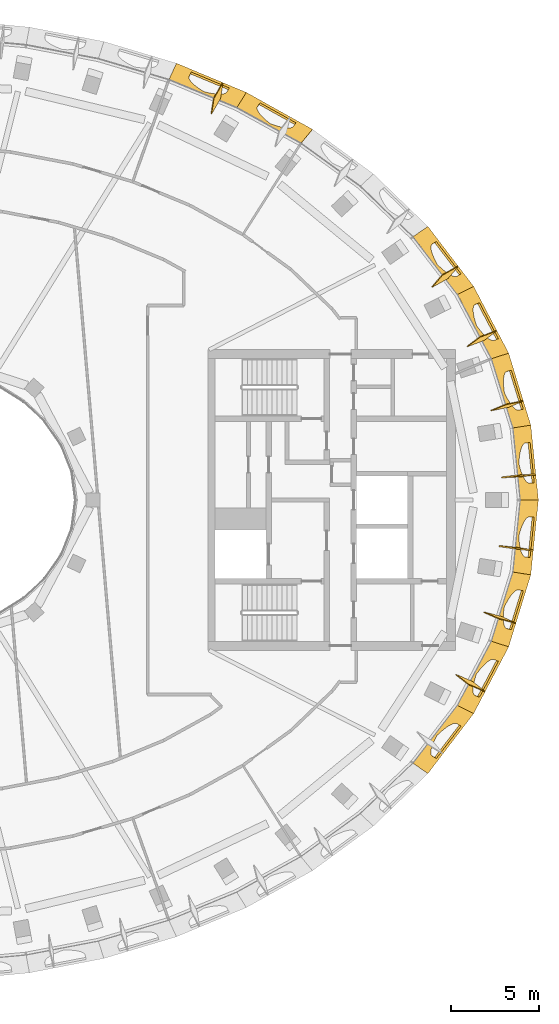
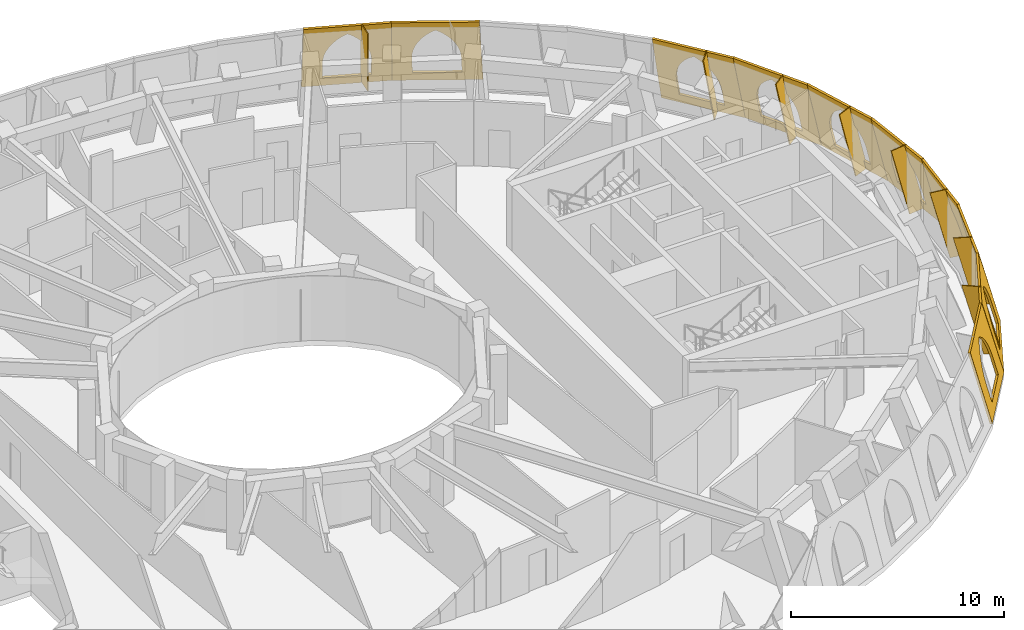
# One storey, part 14 of 14: 18 coverings.
"""IFC4 building model written with IfcOpenShell, lengths in metres."""

from ifc_helpers import new_model, si_unit, direction, frame, origin, place, context, subcontext, project, spatial, polyline, outline, extrude, material, layer, layer_set, type_object, element, save


model = new_model("IFC4")

# Units and contexts
model_context = context("Model", 3, precision=1e-05, world=origin(), true_north=direction((0.0, 1.0)))
body_context = subcontext(model_context, "Body", "Model", "MODEL_VIEW")
ifc_project = project(units=[si_unit("LENGTHUNIT", "METRE"), si_unit("AREAUNIT", "SQUARE_METRE"), si_unit("VOLUMEUNIT", "CUBIC_METRE"), si_unit("PLANEANGLEUNIT", "RADIAN"), si_unit("MASSUNIT", "GRAM", prefix="KILO")], contexts=[model_context])

# Site, building, storey
site_placement = place(None, origin())
site = spatial("IfcSite", under=ifc_project, at=site_placement, CompositionType="ELEMENT")
building_placement = place(site_placement, origin())
building = spatial("IfcBuilding", under=site, at=building_placement, Name="Noorbagh Ring Tower", CompositionType="ELEMENT")
storey_placement = place(building_placement, frame((0.0, 0.0, 339.0)))
storey = spatial("IfcBuildingStorey", under=building, at=storey_placement, Name="L74", CompositionType="ELEMENT", Elevation=339.0)

# Coverings
ifc_material_1 = material(Name="Aluminium 6063-T6 black anodised", Category="aluminium")
ifc_layer_1 = layer(ifc_material_1, 0.050048828125)
ifc_layer_set_1 = layer_set([ifc_layer_1], Name="Aluminium 6063-T6 black anodised")
covering_type_1 = type_object("IfcCoveringType", Name="STYLE-HEAD-FIN", PredefinedType="CLADDING", material=ifc_layer_set_1)
covering_1_placement = place(storey_placement, frame((35.048828125, 1.410888671875, 0.0), z_axis=(0.125297411407, -0.991937840306, 0.018970494559), x_axis=(-0.249060239151, -0.012939870264, 0.968401547413)))
element("IfcCovering", 1, at=covering_1_placement, inside=storey, type_object=covering_type_1, Name="Fin rib F01 L74", ObjectType="FIN", PredefinedType="CLADDING", context=body_context, shape_type="SweptSolid", body=[
    extrude(outline(polyline([(0.0, 0.0), (4.1307697836254, -2.220446049250313e-16), (4.3546566427257325, 0.871874150241866), (0.22382605337788425, 0.8716396901188801), (0.0, 0.0)])), origin(), (0.0, 0.0, -1.0), 0.050048828125),
])
covering_2_placement = place(storey_placement, frame((34.345703125, 5.589111328125, 0.0), z_axis=(0.383523308245, -0.922298368963, 0.047703151271), x_axis=(-0.243611585311, -0.051208224605, 0.968520063414)))
element("IfcCovering", 2, at=covering_2_placement, inside=storey, type_object=covering_type_1, Name="Fin rib F02 L74", ObjectType="FIN", PredefinedType="CLADDING", context=body_context, shape_type="SweptSolid", body=[
    extrude(outline(polyline([(0.0, 0.0), (4.130774305742618, 0.0), (4.350931698916109, 0.8727503960503845), (0.22014489116553054, 0.8726568728425895), (0.0, 0.0)])), origin(), (0.0, 0.0, -1.0), 0.050048828125),
])
covering_3_placement = place(storey_placement, frame((32.851318359375, 9.56005859375, 0.0), z_axis=(0.59787887782, -0.798389513016, 0.071519458625), x_axis=(-0.23270534382, -0.087495653424, 0.968603496581)))
element("IfcCovering", 3, at=covering_3_placement, inside=storey, type_object=covering_type_1, Name="Fin rib F03 L74", ObjectType="FIN", PredefinedType="CLADDING", context=body_context, shape_type="SweptSolid", body=[
    extrude(outline(polyline([(0.0, 0.0), (4.130904469436336, 0.0), (4.345746112020692, 0.8739312560778145), (0.21480619099978712, 0.8738894311997926), (0.0, 0.0)])), origin(), (0.0, 0.0, -1.0), 0.050048828125),
])
covering_4_placement = place(storey_placement, frame((30.66845703125, 13.206787109375, 0.0), z_axis=(0.756703334904, -0.647695910543, 0.088826068311), x_axis=(-0.217114250491, -0.120813642427, 0.968641040859)))
element("IfcCovering", 4, at=covering_4_placement, inside=storey, type_object=covering_type_1, Name="Fin rib F04 L74", ObjectType="FIN", PredefinedType="CLADDING", context=body_context, shape_type="SweptSolid", body=[
    extrude(outline(polyline([(0.0, 0.0), (4.1310174563259, 0.0), (4.340690764642532, 0.8752921451520579), (0.2097263147254437, 0.8754426953083309), (0.0, 0.0)])), origin(), (0.0, 0.0, -1.0), 0.050048828125),
])
covering_5_placement = place(storey_placement, frame((17.36181640625, 23.595703125, 0.0), z_axis=(0.983958121337, -0.15357040274, 0.090788473157), x_axis=(-0.123130053603, -0.216345317265, 0.968521395529)))
element("IfcCovering", 5, at=covering_5_placement, inside=storey, type_object=covering_type_1, Name="Fin rib F08 L74", ObjectType="FIN", PredefinedType="CLADDING", context=body_context, shape_type="SweptSolid", body=[
    extrude(outline(polyline([(0.0, 0.0), (4.131254213741502, 0.0), (4.340724586295225, 0.875228876694652), (0.20949313018645196, 0.8754327508945154), (0.0, 0.0)])), origin(), (0.0, 0.0, -1.0), 0.050048828125),
])
covering_6_placement = place(storey_placement, frame((32.191162109375, -10.81787109375, 0.0), z_axis=(0.612918042037, 0.787534710374, 0.06419153918), x_axis=(-0.230022619855, 0.100117759002, 0.968021708789)))
element("IfcCovering", 6, at=covering_6_placement, inside=storey, type_object=covering_type_1, Name="Fin rib F44 L74", ObjectType="FIN", PredefinedType="CLADDING", context=body_context, shape_type="SweptSolid", body=[
    extrude(outline(polyline([(0.0, 0.0), (4.130877707149869, -1.1102230246251565e-16), (4.3495794668028545, -0.8729696916994689), (0.21870175965298533, -0.8729696916994689), (0.0, 0.0)])), origin(), (0.0, 0.0, -1.0), 0.050048828125),
])
covering_7_placement = place(storey_placement, frame((33.9287109375, -6.94580078125, 0.0), z_axis=(0.403681730084, 0.914009153883, 0.04035253912), x_axis=(-0.242147697081, 0.064205919249, 0.96811264465)))
element("IfcCovering", 7, at=covering_7_placement, inside=storey, type_object=covering_type_1, Name="Fin rib F45 L74", ObjectType="FIN", PredefinedType="CLADDING", context=body_context, shape_type="SweptSolid", body=[
    extrude(outline(polyline([(0.0, 0.0), (4.130987348921082, 0.0), (4.353733148729419, -0.8721609513344278), (0.22270235699148333, -0.8720433506787628), (0.0, 0.0)])), origin(), (0.0, 0.0, -1.0), 0.050048828125),
])
covering_8_placement = place(storey_placement, frame((34.90576171875, -2.822021484375, 0.0), z_axis=(0.148774763606, 0.98880291837, 0.011612852198), x_axis=(-0.248586038099, 0.026030535018, 0.968259982086)))
element("IfcCovering", 8, at=covering_8_placement, inside=storey, type_object=covering_type_1, Name="Fin rib F46 L74", ObjectType="FIN", PredefinedType="CLADDING", context=body_context, shape_type="SweptSolid", body=[
    extrude(outline(polyline([(0.0, 0.0), (4.130868073413099, -1.1102230246251565e-16), (4.355626234569627, -0.8716229924811776), (0.22470382631690833, -0.8714251954683824), (0.0, 0.0)])), origin(), (0.0, 0.0, -1.0), 0.050048828125),
])
ifc_material_2 = material(Name="Red sandstone jali", Category="masonry")
ifc_layer_2 = layer(ifc_material_2, 0.1201171875)
ifc_layer_set_2 = layer_set([ifc_layer_2], Name="Red sandstone jali")
covering_type_2 = type_object("IfcCoveringType", Name="STYLE-HEAD-SKIN", PredefinedType="CLADDING", material=ifc_layer_set_2)
covering_9_placement = place(storey_placement, frame((35.19189453125, 0.0, 0.0), z_axis=(0.96353585428, 0.097690492134, 0.249108862276), x_axis=(-0.100870887315, 0.99489952462, 1.976633e-06)))
element("IfcCovering", 9, at=covering_9_placement, inside=storey, type_object=covering_type_2, Name="Head skin panel", ObjectType="HEAD SKIN", PredefinedType="CLADDING", context=body_context, shape_type="SweptSolid", body=[
    extrude(outline(polyline([(0.0, 0.0), (4.254638671875, 0.0), (4.197509765625, 4.130126953125), (0.104248046875, 4.130126953125), (0.0, 0.0)]), holes=[polyline([(0.984375, 0.550048828125), (0.990234375, 1.59521484375), (1.01171875, 1.894287109375), (1.07177734375, 2.1884765625), (1.169921875, 2.472412109375), (1.303955078125, 2.7412109375), (1.471923828125, 2.990478515625), (1.6708984375, 3.216064453125), (1.8974609375, 3.413818359375), (2.147705078125, 3.580322265625), (2.39599609375, 3.413818359375), (2.620361328125, 3.216064453125), (2.816650390625, 2.990478515625), (2.98193359375, 2.7412109375), (3.113037109375, 2.472412109375), (3.207763671875, 2.1884765625), (3.264404296875, 1.894287109375), (3.282470703125, 1.59521484375), (3.276611328125, 0.550048828125), (0.984375, 0.550048828125)])]), origin(), (0.0, 0.0, -1.0), 0.1201171875),
])
covering_10_placement = place(storey_placement, frame((34.7626953125, 4.23291015625, 0.0), z_axis=(0.925987412451, 0.284734123494, 0.247939087076), x_axis=(-0.293911397192, 0.955832668724, 3.10721e-07)))
element("IfcCovering", 10, at=covering_10_placement, inside=storey, type_object=covering_type_2, Name="Head skin panel", ObjectType="HEAD SKIN", PredefinedType="CLADDING", context=body_context, shape_type="SweptSolid", body=[
    extrude(outline(polyline([(0.0, 0.0), (4.257080078125, 0.0), (4.24462890625, 4.12890625), (0.146240234375, 4.12890625), (0.0, 0.0)]), holes=[polyline([(0.989990234375, 0.550048828125), (1.0068359375, 1.59130859375), (1.031494140625, 1.890869140625), (1.0947265625, 2.185302734375), (1.19580078125, 2.4697265625), (1.3330078125, 2.739013671875), (1.50390625, 2.988525390625), (1.70556640625, 3.21435546875), (1.934326171875, 3.412109375), (2.186767578125, 3.5791015625), (2.43359375, 3.412109375), (2.65625, 3.21435546875), (2.8505859375, 2.988525390625), (3.01318359375, 2.739013671875), (3.1416015625, 2.4697265625), (3.2333984375, 2.185302734375), (3.287353515625, 1.890869140625), (3.302001953125, 1.59130859375), (3.28515625, 0.550048828125), (0.989990234375, 0.550048828125)])]), origin(), (0.0, 0.0, -1.0), 0.1201171875),
])
covering_11_placement = place(storey_placement, frame((33.511474609375, 8.302001953125, 0.0), z_axis=(0.858084610486, 0.450314210016, 0.246795286634), x_axis=(-0.464688989718, 0.885473965072, 3.896624e-06)))
element("IfcCovering", 11, at=covering_11_placement, inside=storey, type_object=covering_type_2, Name="Head skin panel", ObjectType="HEAD SKIN", PredefinedType="CLADDING", context=body_context, shape_type="SweptSolid", body=[
    extrude(outline(polyline([(0.0, 0.0), (4.26171875, 0.0), (4.28564453125, 4.127685546875), (0.17822265625, 4.127685546875), (0.0, 0.0)]), holes=[polyline([(0.994140625, 0.550048828125), (1.01953125, 1.585693359375), (1.046630859375, 1.885986328125), (1.112548828125, 2.180908203125), (1.21630859375, 2.4658203125), (1.35595703125, 2.73583984375), (1.529296875, 2.986083984375), (1.733154296875, 3.212158203125), (1.964111328125, 3.41064453125), (2.218505859375, 3.577880859375), (2.464599609375, 3.41064453125), (2.685791015625, 3.212158203125), (2.87890625, 2.986083984375), (3.039794921875, 2.73583984375), (3.166259765625, 2.4658203125), (3.256103515625, 2.180908203125), (3.3076171875, 1.885986328125), (3.31982421875, 1.585693359375), (3.29443359375, 0.550048828125), (0.994140625, 0.550048828125)])]), origin(), (0.0, 0.0, -1.0), 0.1201171875),
])
covering_12_placement = place(storey_placement, frame((31.531005859375, 12.07568359375, 0.0), z_axis=(0.77062895819, 0.587883594638, 0.246016031907), x_axis=(-0.606523588444, 0.795065492039, -5.358807e-06)))
element("IfcCovering", 12, at=covering_12_placement, inside=storey, type_object=covering_type_2, Name="Head skin panel", ObjectType="HEAD SKIN", PredefinedType="CLADDING", context=body_context, shape_type="SweptSolid", body=[
    extrude(outline(polyline([(0.0, 0.0), (4.267333984375, 0.0), (4.3154296875, 4.126953125), (0.19677734375, 4.126708984375), (0.0, 0.0)]), holes=[polyline([(0.99658203125, 0.550048828125), (1.02734375, 1.57958984375), (1.055908203125, 1.880615234375), (1.12353515625, 2.176513671875), (1.22900390625, 2.462158203125), (1.37060546875, 2.732666015625), (1.545654296875, 2.983642578125), (1.751220703125, 3.21044921875), (1.98388671875, 3.4091796875), (2.23974609375, 3.576904296875), (2.485595703125, 3.4091796875), (2.70654296875, 3.21044921875), (2.898681640625, 2.983642578125), (3.058837890625, 2.732666015625), (3.184326171875, 2.462158203125), (3.272705078125, 2.176513671875), (3.32275390625, 1.880615234375), (3.33349609375, 1.57958984375), (3.302978515625, 0.550048828125), (0.99658203125, 0.550048828125)])]), origin(), (0.0, 0.0, -1.0), 0.1201171875),
])
covering_13_placement = place(storey_placement, frame((22.417724609375, 20.9609375, 0.0), z_axis=(0.471977194858, 0.846458862553, 0.246464848489), x_axis=(-0.87340235464, 0.48699930892, 4.512742e-06)))
element("IfcCovering", 13, at=covering_13_placement, inside=storey, type_object=covering_type_2, Name="Head skin panel", ObjectType="HEAD SKIN", PredefinedType="CLADDING", context=body_context, shape_type="SweptSolid", body=[
    extrude(outline(polyline([(0.0, 0.0), (4.2802734375, 0.0), (4.3330078125, 4.127197265625), (0.187255859375, 4.12744140625), (0.0, 0.0)]), holes=[polyline([(0.995361328125, 0.550048828125), (1.02490234375, 1.56689453125), (1.053466796875, 1.869873046875), (1.121337890625, 2.167724609375), (1.227294921875, 2.455078125), (1.36962890625, 2.7275390625), (1.545654296875, 2.97998046875), (1.75244140625, 3.20849609375), (1.98681640625, 3.40869140625), (2.244140625, 3.577392578125), (2.49169921875, 3.40869140625), (2.714111328125, 3.20849609375), (2.90771484375, 2.97998046875), (3.069091796875, 2.7275390625), (3.195556640625, 2.455078125), (3.284912109375, 2.167724609375), (3.33544921875, 1.869873046875), (3.346435546875, 1.56689453125), (3.31689453125, 0.550048828125), (0.995361328125, 0.550048828125)])]), origin(), (0.0, 0.0, -1.0), 0.1201171875),
])
covering_14_placement = place(storey_placement, frame((18.67919921875, 23.04541015625, 0.0), z_axis=(0.373482635496, 0.894092244472, 0.247203922619), x_axis=(-0.922730711316, 0.385445241758, 1.199786e-06)))
element("IfcCovering", 14, at=covering_14_placement, inside=storey, type_object=covering_type_2, Name="Head skin panel", ObjectType="HEAD SKIN", PredefinedType="CLADDING", context=body_context, shape_type="SweptSolid", body=[
    extrude(outline(polyline([(0.0, 0.0), (4.283203125, 0.0), (4.3203125, 4.128173828125), (0.16845703125, 4.128173828125), (0.0, 0.0)]), holes=[polyline([(0.992919921875, 0.550048828125), (1.01806640625, 1.564697265625), (1.045654296875, 1.8681640625), (1.1123046875, 2.16650390625), (1.21728515625, 2.454345703125), (1.358642578125, 2.727294921875), (1.533935546875, 2.97998046875), (1.739990234375, 3.208740234375), (1.973876953125, 3.4091796875), (2.230712890625, 3.578125), (2.4794921875, 3.4091796875), (2.703125, 3.208740234375), (2.89794921875, 2.97998046875), (3.060546875, 2.727294921875), (3.188232421875, 2.454345703125), (3.27880859375, 2.16650390625), (3.330810546875, 1.8681640625), (3.343017578125, 1.564697265625), (3.31787109375, 0.550048828125), (0.992919921875, 0.550048828125)])]), origin(), (0.0, 0.0, -1.0), 0.1201171875),
])
covering_15_placement = place(storey_placement, frame((28.94287109375, -15.468505859375, 0.0), z_axis=(0.769806606948, -0.587256254075, 0.25005575368), x_axis=(0.606523552638, 0.795065519354, 5.440989e-06)))
element("IfcCovering", 15, at=covering_15_placement, inside=storey, type_object=covering_type_2, Name="Head skin panel", ObjectType="HEAD SKIN", PredefinedType="CLADDING", context=body_context, shape_type="SweptSolid", body=[
    extrude(outline(polyline([(0.0, 0.0), (4.267333984375, 0.0), (4.0703125, 4.131103515625), (-0.048095703125, 4.13134765625), (0.0, 0.0)]), holes=[polyline([(0.964111328125, 0.550048828125), (0.933349609375, 1.583984375), (0.944091796875, 1.885009765625), (0.994384765625, 2.180908203125), (1.082763671875, 2.466552734375), (1.208251953125, 2.7373046875), (1.368408203125, 2.988037109375), (1.560546875, 3.21484375), (1.781494140625, 3.413818359375), (2.02734375, 3.581298828125), (2.283203125, 3.413818359375), (2.515869140625, 3.21484375), (2.721435546875, 2.988037109375), (2.896484375, 2.7373046875), (3.0380859375, 2.466552734375), (3.1435546875, 2.180908203125), (3.211181640625, 1.885009765625), (3.23974609375, 1.583984375), (3.2705078125, 0.550048828125), (0.964111328125, 0.550048828125)])]), origin(), (0.0, 0.0, -1.0), 0.1201171875),
])
covering_16_placement = place(storey_placement, frame((31.531005859375, -12.07568359375, 0.0), z_axis=(0.857301072835, -0.449903017304, 0.250244171834), x_axis=(0.464689014449, 0.885473952093, -3.94747e-06)))
element("IfcCovering", 16, at=covering_16_placement, inside=storey, type_object=covering_type_2, Name="Head skin panel", ObjectType="HEAD SKIN", PredefinedType="CLADDING", context=body_context, shape_type="SweptSolid", body=[
    extrude(outline(polyline([(0.0, 0.0), (4.26171875, 0.0), (4.083740234375, 4.13134765625), (-0.02392578125, 4.13134765625), (0.0, 0.0)]), holes=[polyline([(0.96728515625, 0.550048828125), (0.94189453125, 1.58935546875), (0.954345703125, 1.8896484375), (1.005859375, 2.184814453125), (1.095458984375, 2.4697265625), (1.221923828125, 2.739501953125), (1.383056640625, 2.98974609375), (1.575927734375, 3.216064453125), (1.79736328125, 3.414306640625), (2.04345703125, 3.58154296875), (2.297607421875, 3.414306640625), (2.52880859375, 3.216064453125), (2.732666015625, 2.98974609375), (2.906005859375, 2.739501953125), (3.045654296875, 2.4697265625), (3.1494140625, 2.184814453125), (3.215087890625, 1.8896484375), (3.2421875, 1.58935546875), (3.267578125, 0.550048828125), (0.96728515625, 0.550048828125)])]), origin(), (0.0, 0.0, -1.0), 0.1201171875),
])
covering_17_placement = place(storey_placement, frame((33.511474609375, -8.302001953125, 0.0), z_axis=(0.925405119707, -0.28455507288, 0.250307360897), x_axis=(0.293911398651, 0.955832668276, -3.13492e-07)))
element("IfcCovering", 17, at=covering_17_placement, inside=storey, type_object=covering_type_2, Name="Head skin panel", ObjectType="HEAD SKIN", PredefinedType="CLADDING", context=body_context, shape_type="SweptSolid", body=[
    extrude(outline(polyline([(0.0, 0.0), (4.257080078125, 0.0), (4.11083984375, 4.131591796875), (0.01220703125, 4.131591796875), (0.0, 0.0)]), holes=[polyline([(0.97216796875, 0.550048828125), (0.955078125, 1.593994140625), (0.969970703125, 1.8935546875), (1.023681640625, 2.18798828125), (1.115478515625, 2.47216796875), (1.244140625, 2.741455078125), (1.40673828125, 2.9912109375), (1.60107421875, 3.216796875), (1.823486328125, 3.414794921875), (2.070556640625, 3.58154296875), (2.322998046875, 3.414794921875), (2.5517578125, 3.216796875), (2.75341796875, 2.9912109375), (2.92431640625, 2.741455078125), (3.061279296875, 2.47216796875), (3.16259765625, 2.18798828125), (3.225830078125, 1.8935546875), (3.25048828125, 1.593994140625), (3.267333984375, 0.550048828125), (0.97216796875, 0.550048828125)])]), origin(), (0.0, 0.0, -1.0), 0.1201171875),
])
covering_18_placement = place(storey_placement, frame((34.7626953125, -4.23291015625, 0.0), z_axis=(0.963316664854, -0.097639951215, 0.249974885022), x_axis=(0.100843750954, 0.994902275508, -9.025694e-06)))
element("IfcCovering", 18, at=covering_18_placement, inside=storey, type_object=covering_type_2, Name="Head skin panel", ObjectType="HEAD SKIN", PredefinedType="CLADDING", context=body_context, shape_type="SweptSolid", body=[
    extrude(outline(polyline([(0.0, 0.0), (4.254638671875, 0.0), (4.150390625, 4.131103515625), (0.057373046875, 4.131103515625), (0.0, 0.0)]), holes=[polyline([(0.97802734375, 0.550048828125), (0.97216796875, 1.59619140625), (0.989990234375, 1.8955078125), (1.046875, 2.189453125), (1.1416015625, 2.473388671875), (1.272705078125, 2.7421875), (1.437744140625, 2.991455078125), (1.63427734375, 3.217041015625), (1.8583984375, 3.41455078125), (2.106689453125, 3.581298828125), (2.357177734375, 3.41455078125), (2.58349609375, 3.217041015625), (2.78271484375, 2.991455078125), (2.95068359375, 2.7421875), (3.084716796875, 2.473388671875), (3.1826171875, 2.189453125), (3.242919921875, 1.8955078125), (3.26416015625, 1.59619140625), (3.270263671875, 0.550048828125), (0.97802734375, 0.550048828125)])]), origin(), (0.0, 0.0, -1.0), 0.1201171875),
])

save(model, "model.ifc")
